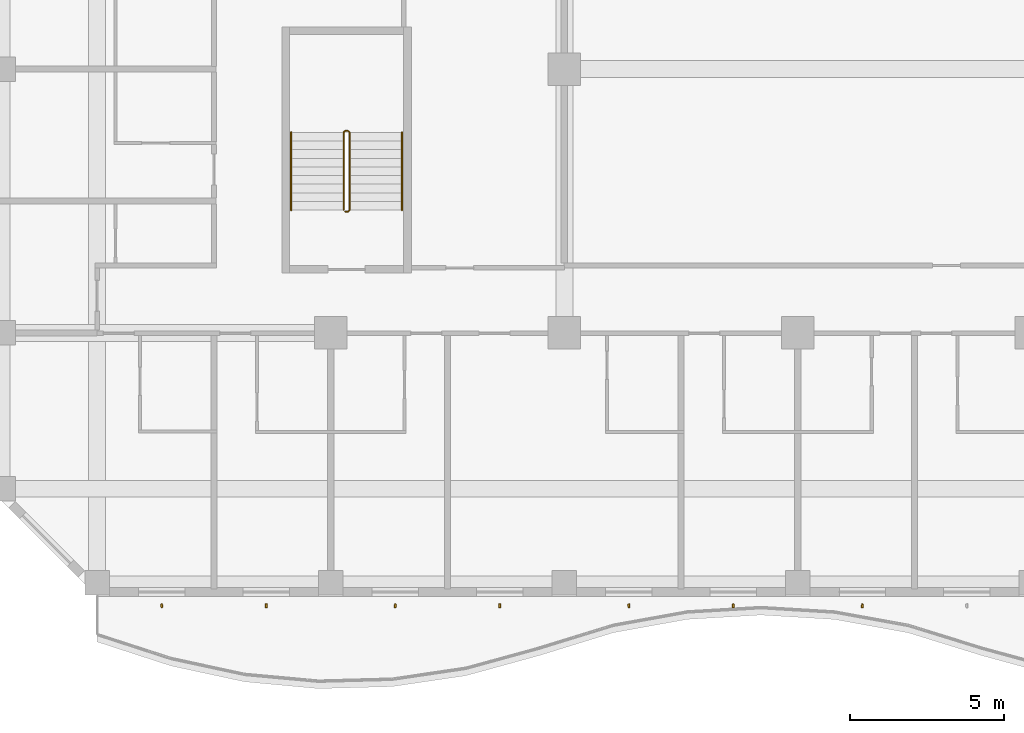
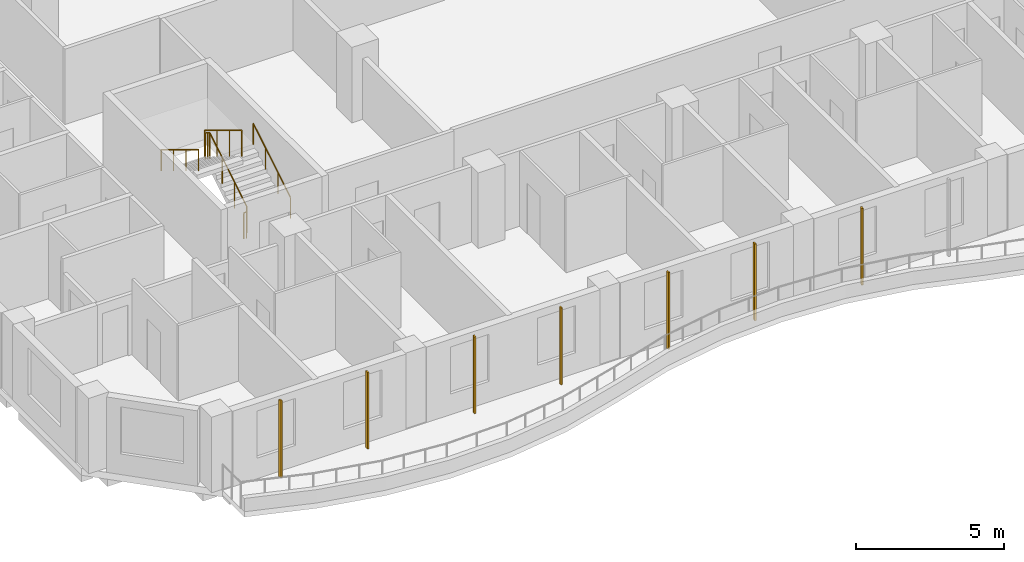
# One storey, part 14 of 22: 7 shading devices, 3 railings.
"""IFC4 building model written with IfcOpenShell, lengths in metres."""

from ifc_helpers import new_model, si_unit, direction, frame, origin, origin_2d, place, context, subcontext, project, spatial, rectangle, circle, extrude, source, transform, mapped, material, material_profile, profile_set, type_object, element, save


model = new_model("IFC4")

# Units and contexts
model_context = context("Model", 3, precision=1e-05, world=origin(), true_north=direction((0.0, 1.0)))
body_context = subcontext(model_context, "Body", "Model", "MODEL_VIEW")
ifc_project = project(units=[si_unit("LENGTHUNIT", "METRE"), si_unit("AREAUNIT", "SQUARE_METRE"), si_unit("VOLUMEUNIT", "CUBIC_METRE"), si_unit("PLANEANGLEUNIT", "RADIAN"), si_unit("MASSUNIT", "GRAM", prefix="KILO")], contexts=[model_context])

# Site, building, storey
site_placement = place(None, origin())
site = spatial("IfcSite", under=ifc_project, at=site_placement, CompositionType="ELEMENT")
building_placement = place(site_placement, origin())
building = spatial("IfcBuilding", under=site, at=building_placement, Name="Kilnfold Tower and Market Hall", CompositionType="ELEMENT")
storey_placement = place(building_placement, frame((0.0, 0.0, 188.89990234375)))
storey = spatial("IfcBuildingStorey", under=building, at=storey_placement, Name="L45", CompositionType="ELEMENT", Elevation=188.89990234375)

# Railings
ifc_material_1 = material(Name="Stainless steel 316", Category="steel")
railing_type_1 = type_object("IfcRailingType", Name="CORE STAIR GUARD 1100", PredefinedType="GUARDRAIL", material=ifc_material_1)
railing_1_placement = place(storey_placement, frame((-15.699951171875, -13.75, 0.0)))
element("IfcRailing", 1, at=railing_1_placement, inside=storey, type_object=railing_type_1, Name="L45 ST3 stair guard 1", PredefinedType="GUARDRAIL", context=body_context, shape_type="SweptSolid", body=[
    extrude(circle(Radius=0.02392578125, at=origin_2d()), frame((0.0, 0.0, 1.076171875), z_axis=(1.0, 0.0, 0.0), x_axis=(0.0, 1.0, 0.0)), (0.0, 0.0, 1.0), 0.099853515625),
    extrude(circle(Radius=0.02392578125, at=origin_2d()), frame((0.099853515625, 0.0, 1.076171875), z_axis=(0.271562723297, 0.271562723297, 0.923313259209), x_axis=(-0.707106781187, 0.707106781187, 0.0)), (0.0, 0.0, 1.0), 0.184326171875),
    extrude(circle(Radius=0.02392578125, at=origin_2d()), frame((0.14990234375, 0.050048828125, 1.24609375), z_axis=(0.0, 0.85478489116, 0.518982456201), x_axis=(-1.0, 0.0, 0.0)), (0.0, 0.0, 1.0), 2.9482421875),
    extrude(circle(Radius=0.02392578125, at=origin_2d()), frame((0.14990234375, 2.570068359375, 2.7763671875), z_axis=(-0.707106781187, 0.707106781187, 0.0), x_axis=(-0.707106781187, -0.707106781187, 0.0)), (0.0, 0.0, 1.0), 0.07080078125),
    extrude(circle(Radius=0.02392578125, at=origin_2d()), frame((0.099853515625, 2.6201171875, 2.7763671875), z_axis=(-1.0, 0.0, 0.0), x_axis=(0.0, -1.0, 0.0)), (0.0, 0.0, 1.0), 0.099853515625),
    extrude(circle(Radius=0.02392578125, at=origin_2d()), frame((0.0, 2.6201171875, 2.7763671875), z_axis=(-0.271895245746, -0.271895245746, 0.923117517265), x_axis=(0.707106781187, -0.707106781187, 0.0)), (0.0, 0.0, 1.0), 0.18408203125),
    extrude(circle(Radius=0.02392578125, at=origin_2d()), frame((-0.050048828125, 2.570068359375, 2.9462890625), z_axis=(0.0, -0.85478489116, 0.518982456201), x_axis=(1.0, 0.0, 0.0)), (0.0, 0.0, 1.0), 2.9482421875),
    extrude(circle(Radius=0.02099609375, at=origin_2d()), origin(), (0.0, 0.0, 1.0), 1.052001953125),
    extrude(circle(Radius=0.02099609375, at=origin_2d()), frame((0.099853515625, 0.0, 0.0)), (0.0, 0.0, 1.0), 1.052001953125),
    extrude(circle(Radius=0.02099609375, at=origin_2d()), frame((0.14990234375, 0.050048828125, 0.170166015625)), (0.0, 0.0, 1.0), 1.052001953125),
    extrude(circle(Radius=0.02099609375, at=origin_2d()), frame((0.14990234375, 0.89013671875, 0.68017578125)), (0.0, 0.0, 1.0), 1.052001953125),
    extrude(circle(Radius=0.02099609375, at=origin_2d()), frame((0.14990234375, 1.72998046875, 1.190185546875)), (0.0, 0.0, 1.0), 1.052001953125),
    extrude(circle(Radius=0.02099609375, at=origin_2d()), frame((0.14990234375, 2.570068359375, 1.7001953125)), (0.0, 0.0, 1.0), 1.052001953125),
    extrude(circle(Radius=0.02099609375, at=origin_2d()), frame((0.099853515625, 2.6201171875, 1.7001953125)), (0.0, 0.0, 1.0), 1.052001953125),
    extrude(circle(Radius=0.02099609375, at=origin_2d()), frame((0.0, 2.6201171875, 1.7001953125)), (0.0, 0.0, 1.0), 1.052001953125),
    extrude(circle(Radius=0.02099609375, at=origin_2d()), frame((-0.050048828125, 2.570068359375, 1.8701171875)), (0.0, 0.0, 1.0), 1.052001953125),
    extrude(circle(Radius=0.02099609375, at=origin_2d()), frame((-0.050048828125, 1.72998046875, 2.380126953125)), (0.0, 0.0, 1.0), 1.052001953125),
    extrude(circle(Radius=0.02099609375, at=origin_2d()), frame((-0.050048828125, 0.89013671875, 2.89013671875)), (0.0, 0.0, 1.0), 1.052001953125),
    extrude(circle(Radius=0.02099609375, at=origin_2d()), frame((-0.050048828125, 0.050048828125, 3.400146484375)), (0.0, 0.0, 1.0), 1.052001953125),
])
ifc_material_2 = material(Name="Stainless steel 316", Category="steel")
railing_type_2 = type_object("IfcRailingType", Name="CORE STAIR HANDRAIL 900", PredefinedType="HANDRAIL", material=ifc_material_2)
railing_2_placement = place(storey_placement, frame((-13.85009765625, -13.699951171875, 0.170166015625)))
element("IfcRailing", 2, at=railing_2_placement, inside=storey, type_object=railing_type_2, Name="L45 ST3 stair handrail 1", PredefinedType="HANDRAIL", context=body_context, shape_type="SweptSolid", body=[
    extrude(circle(Radius=0.02392578125, at=origin_2d()), frame((0.0, 0.0, 0.8759765625), z_axis=(0.0, 0.85478489116, 0.518982456201), x_axis=(-1.0, 0.0, 0.0)), (0.0, 0.0, 1.0), 2.9482421875),
    extrude(circle(Radius=0.02099609375, at=origin_2d()), origin(), (0.0, 0.0, 1.0), 0.851806640625),
    extrude(circle(Radius=0.02099609375, at=origin_2d()), frame((0.0, 0.840087890625, 0.510009765625)), (0.0, 0.0, 1.0), 0.851806640625),
    extrude(circle(Radius=0.02099609375, at=origin_2d()), frame((0.0, 1.679931640625, 1.02001953125)), (0.0, 0.0, 1.0), 0.851806640625),
    extrude(circle(Radius=0.02099609375, at=origin_2d()), frame((0.0, 2.52001953125, 1.530029296875)), (0.0, 0.0, 1.0), 0.851806640625),
])
railing_3_placement = place(storey_placement, frame((-17.449951171875, -11.179931640625, 1.8701171875)))
element("IfcRailing", 3, at=railing_3_placement, inside=storey, type_object=railing_type_2, Name="L45 ST3 stair handrail 2", PredefinedType="HANDRAIL", context=body_context, shape_type="SweptSolid", body=[
    extrude(circle(Radius=0.02392578125, at=origin_2d()), frame((0.0, 0.0, 0.8759765625), z_axis=(0.0, -0.85478489116, 0.518982456201), x_axis=(1.0, 0.0, 0.0)), (0.0, 0.0, 1.0), 2.9482421875),
    extrude(circle(Radius=0.02099609375, at=origin_2d()), origin(), (0.0, 0.0, 1.0), 0.851806640625),
    extrude(circle(Radius=0.02099609375, at=origin_2d()), frame((0.0, -0.840087890625, 0.510009765625)), (0.0, 0.0, 1.0), 0.851806640625),
    extrude(circle(Radius=0.02099609375, at=origin_2d()), frame((0.0, -1.679931640625, 1.02001953125)), (0.0, 0.0, 1.0), 0.851806640625),
    extrude(circle(Radius=0.02099609375, at=origin_2d()), frame((0.0, -2.52001953125, 1.530029296875)), (0.0, 0.0, 1.0), 0.851806640625),
])

# Shading devices
ifc_material_3 = material(Name="Terracotta", Category="masonry")
ifc_material_profile = material_profile(ifc_material_3, rectangle(XDim=0.06005859375, YDim=0.1201171875, at=origin_2d()), Name="BAG 60x120")
ifc_profile_set = profile_set([ifc_material_profile], Name="Terracotta")
shading_device_type = type_object("IfcShadingDeviceType", Name="BAGUETTE", PredefinedType="USERDEFINED", material=ifc_profile_set)
shared_shape = source(origin(), body_context, "Body", "SweptSolid", [
    extrude(rectangle(XDim=0.06005859375, YDim=0.1201171875, at=origin_2d()), origin(), (0.0, 0.0, 1.0), 3.18017578125),
])
for number, where, z_axis, x_axis, name in (
    (4, (-21.654296875, -26.550048828125, 0.0), (0.0, 0.0, 1.0), (0.990625214636, 0.136607774769, 0.0), "Terracotta baguette L45 S"),
    (5, (-18.2626953125, -26.550048828125, 0.0), (0.0, 0.0, 1.0), (0.999798543463, -0.020071683761, 0.0), "Terracotta baguette L45 S"),
    (6, (-14.07080078125, -26.550048828125, 0.0), (0.0, 0.0, 1.0), (0.992142894629, -0.125109858271, 0.0), "Terracotta baguette L45 S"),
    (7, (-10.67919921875, -26.550048828125, 0.0), (0.0, 0.0, 1.0), (0.9984792992, 0.055127933648, 0.0), "Terracotta baguette L45 S"),
    (8, (-6.4873046875, -26.550048828125, 0.0), (0.0, 0.0, 1.0), (0.994462076638, 0.1050960424, 0.0), "Terracotta baguette L45 S"),
    (9, (-3.095703125, -26.550048828125, 0.0), (0.0, 0.0, 1.0), (0.996263295029, -0.08636809004, 0.0), "Terracotta baguette L45 S"),
    (10, (1.095703125, -26.550048828125, 0.0), (0.0, 0.0, 1.0), (0.996961677861, -0.077893599716, 0.0), "Terracotta baguette L45 S"),
):
    element("IfcShadingDevice", number, at=place(storey_placement, frame(where, z_axis=z_axis, x_axis=x_axis)), inside=storey, type_object=shading_device_type, Name=name, ObjectType="BAGUETTE", PredefinedType="USERDEFINED", context=body_context, shape_type="MappedRepresentation", body=[
        mapped(shared_shape, transform((0.0, 0.0, 0.0))),
    ])

save(model, "model.ifc")
